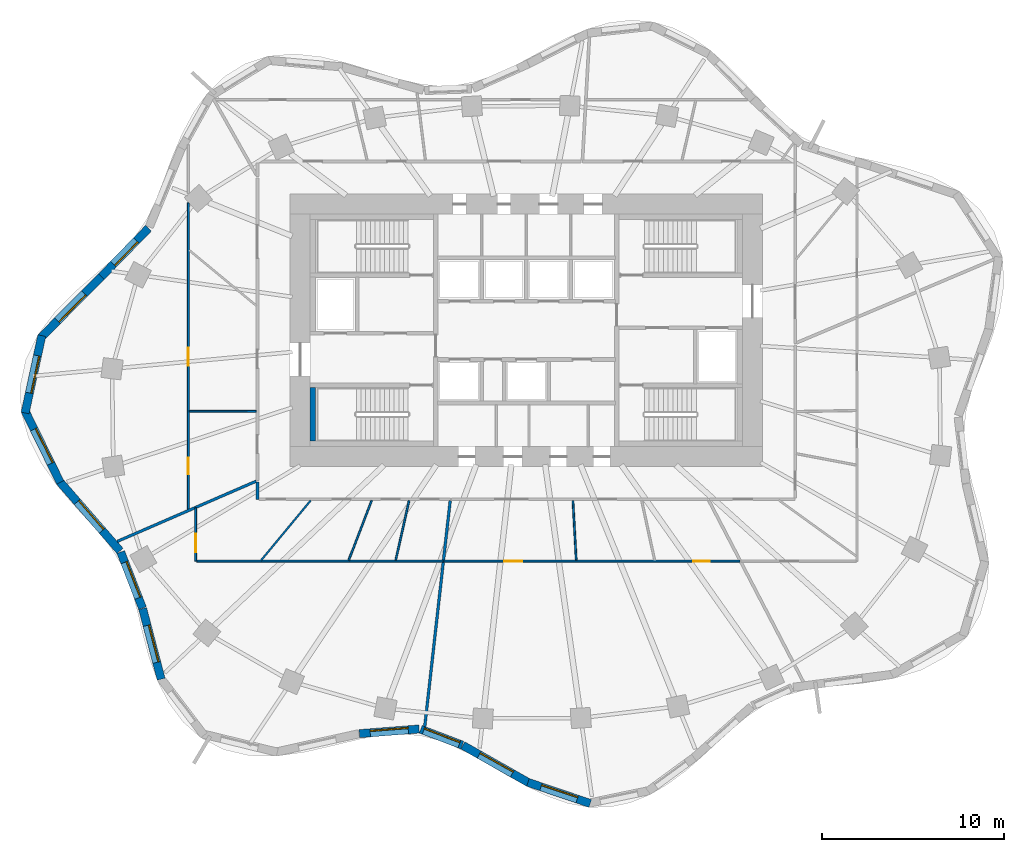
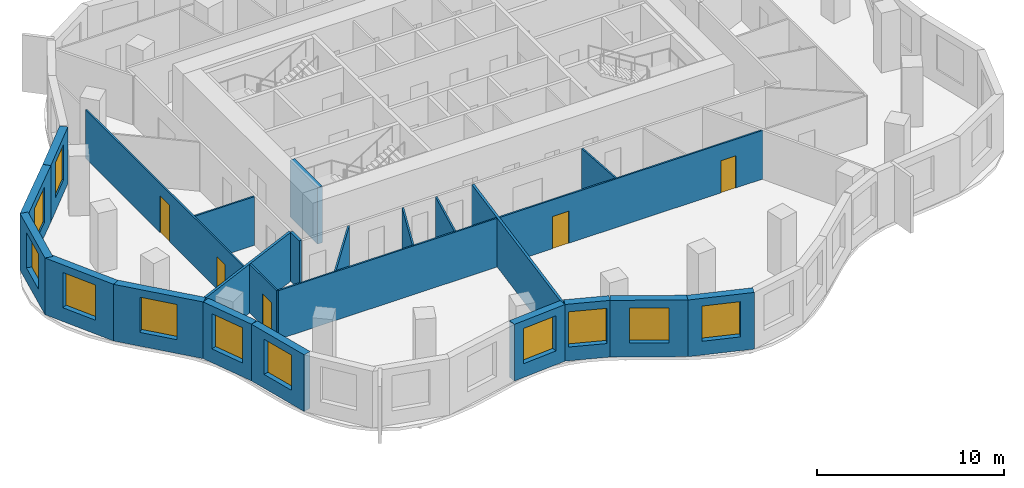
# One storey, part 3 of 9: 24 walls, 11 windows, 5 doors, 16 openings.
"""IFC4 building model written with IfcOpenShell, lengths in metres."""

from ifc_helpers import new_model, si_unit, direction, frame, frame_2d, origin, place, context, subcontext, project, spatial, rectangle, extrude, material, layer, layer_set, type_object, element, fill, save


model = new_model("IFC4")

# Units and contexts
model_context = context("Model", 3, precision=1e-05, world=origin(), true_north=direction((0.0, 1.0)))
body_context = subcontext(model_context, "Body", "Model", "MODEL_VIEW")
ifc_project = project(units=[si_unit("LENGTHUNIT", "METRE"), si_unit("AREAUNIT", "SQUARE_METRE"), si_unit("VOLUMEUNIT", "CUBIC_METRE"), si_unit("PLANEANGLEUNIT", "RADIAN"), si_unit("MASSUNIT", "GRAM", prefix="KILO")], contexts=[model_context])

# Site, building, storey
site_placement = place(None, origin())
site = spatial("IfcSite", under=ifc_project, at=site_placement, CompositionType="ELEMENT")
building_placement = place(site_placement, origin())
building = spatial("IfcBuilding", under=site, at=building_placement, Name="Rubra Terraces Tower", CompositionType="ELEMENT")
storey_placement = place(building_placement, frame((0.0, 0.0, 138.300048828125)))
storey = spatial("IfcBuildingStorey", under=building, at=storey_placement, Name="L33", CompositionType="ELEMENT", Elevation=138.300048828125)

# Wall, opening, window
ifc_material_1 = material(Name="Brick masonry red-brown", Category="masonry")
ifc_layer_1 = layer(ifc_material_1, 0.449951171875)
ifc_layer_set_1 = layer_set([ifc_layer_1], Name="Brick masonry red-brown")
wall_type_1 = type_object("IfcWallType", Name="Brick facade wall 450", PredefinedType="SOLIDWALL", material=ifc_layer_set_1)
wall_1_placement = place(storey_placement, frame((-20.795654296875, 10.1240234375, 0.0), z_axis=(0.0, 0.0, 1.0), x_axis=(-0.697121527554, -0.716952980203, 0.0)))
wall_1 = element("IfcWall", 1, at=wall_1_placement, inside=storey, type_object=wall_type_1, Name="Facade wall L33 bay 18", PredefinedType="SOLIDWALL", context=body_context, shape_type="SweptSolid", body=[
    extrude(rectangle(XDim=3.7177734375, YDim=0.449951171875, at=frame_2d((1.85888671875, 0.0))), origin(), (0.0, 0.0, 1.0), 3.699951171875),
])
opening_1_placement = place(wall_1_placement, frame((0.958984375, 0.0, 0.89990234375)))
opening_1 = element("IfcOpeningElement", 2, at=opening_1_placement, cuts=wall_1, Name="Opening W6B", PredefinedType="OPENING", context=body_context, shape_type="SweptSolid", body=[
    extrude(rectangle(XDim=1.800048828125, YDim=2.300048828125, at=frame_2d((0.89990234375, 1.14990234375))), frame((0.0, 0.23486328125, 0.0), z_axis=(0.0, -1.0, 0.0), x_axis=(1.0, 0.0, 0.0)), (0.0, 0.0, 1.0), 0.469970703125),
])
ifc_material_2 = material(Name="Clear glass in aluminium frame", Category="aluminium")
window_type_1 = type_object("IfcWindowType", Name="Fixed deep-set window at wind fin tall storey 1800 x 2300", PartitioningType="SINGLE_PANEL", PredefinedType="WINDOW", material=ifc_material_2)
window_1_placement = place(opening_1_placement, origin())
window_1 = element("IfcWindow", 3, at=window_1_placement, inside=storey, type_object=window_type_1, Name="Window L33 bay 18", OverallHeight=2.300048828125, OverallWidth=1.800048828125, PartitioningType="SINGLE_PANEL", PredefinedType="WINDOW", context=body_context, shape_type="SweptSolid", body=[
    extrude(rectangle(XDim=1.800048828125, YDim=2.300048828125, at=frame_2d((0.89990234375, 1.14990234375))), frame((0.0, 0.135009765625, 0.0), z_axis=(0.0, -1.0, 0.0), x_axis=(1.0, 0.0, 0.0)), (0.0, 0.0, 1.0), 0.06005859375),
])
fill(opening_1, window_1)

wall_2_placement = place(storey_placement, frame((-23.389892578125, 7.45556640625, 0.0), z_axis=(0.0, 0.0, 1.0), x_axis=(-0.705349231702, -0.708859973011, 0.0)))
wall_2 = element("IfcWall", 4, at=wall_2_placement, inside=storey, type_object=wall_type_1, Name="Facade wall L33 bay 19", PredefinedType="SOLIDWALL", context=body_context, shape_type="SweptSolid", body=[
    extrude(rectangle(XDim=4.728759765625, YDim=0.449951171875, at=frame_2d((2.3642578125, 0.0))), origin(), (0.0, 0.0, 1.0), 3.699951171875),
])
opening_2_placement = place(wall_2_placement, frame((1.314453125, 0.0, 0.89990234375)))
opening_2 = element("IfcOpeningElement", 5, at=opening_2_placement, cuts=wall_2, Name="Opening W1B", PredefinedType="OPENING", context=body_context, shape_type="SweptSolid", body=[
    extrude(rectangle(XDim=2.10009765625, YDim=2.300048828125, at=frame_2d((1.050048828125, 1.14990234375))), frame((0.0, 0.23486328125, 0.0), z_axis=(0.0, -1.0, 0.0), x_axis=(1.0, 0.0, 0.0)), (0.0, 0.0, 1.0), 0.469970703125),
])
window_type_2 = type_object("IfcWindowType", Name="Fixed deep-set window tall storey 2100 x 2300", PartitioningType="SINGLE_PANEL", PredefinedType="WINDOW", material=ifc_material_2)
window_2_placement = place(opening_2_placement, origin())
window_2 = element("IfcWindow", 6, at=window_2_placement, inside=storey, type_object=window_type_2, Name="Window L33 bay 19", OverallHeight=2.300048828125, OverallWidth=2.10009765625, PartitioningType="SINGLE_PANEL", PredefinedType="WINDOW", context=body_context, shape_type="SweptSolid", body=[
    extrude(rectangle(XDim=2.10009765625, YDim=2.300048828125, at=frame_2d((1.050048828125, 1.14990234375))), frame((0.0, 0.135009765625, 0.0), z_axis=(0.0, -1.0, 0.0), x_axis=(1.0, 0.0, 0.0)), (0.0, 0.0, 1.0), 0.06005859375),
])
fill(opening_2, window_2)

wall_3_placement = place(storey_placement, frame((-26.668212890625, 4.21142578125, 0.0), z_axis=(0.0, 0.0, 1.0), x_axis=(-0.210910311825, -0.977505417052, 0.0)))
wall_3 = element("IfcWall", 7, at=wall_3_placement, inside=storey, type_object=wall_type_1, Name="Facade wall L33 bay 20", PredefinedType="SOLIDWALL", context=body_context, shape_type="SweptSolid", body=[
    extrude(rectangle(XDim=4.35693359375, YDim=0.449951171875, at=frame_2d((2.178466796875, 0.0))), origin(), (0.0, 0.0, 1.0), 3.699951171875),
])
opening_3_placement = place(wall_3_placement, frame((1.12841796875, 0.0, 0.89990234375)))
opening_3 = element("IfcOpeningElement", 8, at=opening_3_placement, cuts=wall_3, Name="Opening W1B", PredefinedType="OPENING", context=body_context, shape_type="SweptSolid", body=[
    extrude(rectangle(XDim=2.10009765625, YDim=2.300048828125, at=frame_2d((1.050048828125, 1.14990234375))), frame((0.0, 0.23486328125, 0.0), z_axis=(0.0, -1.0, 0.0), x_axis=(1.0, 0.0, 0.0)), (0.0, 0.0, 1.0), 0.469970703125),
])
window_3_placement = place(opening_3_placement, origin())
window_3 = element("IfcWindow", 9, at=window_3_placement, inside=storey, type_object=window_type_2, Name="Window L33 bay 20", OverallHeight=2.300048828125, OverallWidth=2.10009765625, PartitioningType="SINGLE_PANEL", PredefinedType="WINDOW", context=body_context, shape_type="SweptSolid", body=[
    extrude(rectangle(XDim=2.10009765625, YDim=2.300048828125, at=frame_2d((1.050048828125, 1.14990234375))), frame((0.0, 0.135009765625, 0.0), z_axis=(0.0, -1.0, 0.0), x_axis=(1.0, 0.0, 0.0)), (0.0, 0.0, 1.0), 0.06005859375),
])
fill(opening_3, window_3)

wall_4_placement = place(storey_placement, frame((-27.60498046875, 0.09912109375, 0.0), z_axis=(0.0, 0.0, 1.0), x_axis=(0.440876526139, -0.897567762734, 0.0)))
wall_4 = element("IfcWall", 10, at=wall_4_placement, inside=storey, type_object=wall_type_1, Name="Facade wall L33 bay 21", PredefinedType="SOLIDWALL", context=body_context, shape_type="SweptSolid", body=[
    extrude(rectangle(XDim=4.4150390625, YDim=0.449951171875, at=frame_2d((2.20751953125, 0.0))), origin(), (0.0, 0.0, 1.0), 3.699951171875),
])
opening_4_placement = place(wall_4_placement, frame((1.15771484375, 0.0, 0.89990234375)))
opening_4 = element("IfcOpeningElement", 11, at=opening_4_placement, cuts=wall_4, Name="Opening W1B", PredefinedType="OPENING", context=body_context, shape_type="SweptSolid", body=[
    extrude(rectangle(XDim=2.10009765625, YDim=2.300048828125, at=frame_2d((1.050048828125, 1.14990234375))), frame((0.0, 0.23486328125, 0.0), z_axis=(0.0, -1.0, 0.0), x_axis=(1.0, 0.0, 0.0)), (0.0, 0.0, 1.0), 0.469970703125),
])
window_4_placement = place(opening_4_placement, origin())
window_4 = element("IfcWindow", 12, at=window_4_placement, inside=storey, type_object=window_type_2, Name="Window L33 bay 21", OverallHeight=2.300048828125, OverallWidth=2.10009765625, PartitioningType="SINGLE_PANEL", PredefinedType="WINDOW", context=body_context, shape_type="SweptSolid", body=[
    extrude(rectangle(XDim=2.10009765625, YDim=2.300048828125, at=frame_2d((1.050048828125, 1.14990234375))), frame((0.0, 0.135009765625, 0.0), z_axis=(0.0, -1.0, 0.0), x_axis=(1.0, 0.0, 0.0)), (0.0, 0.0, 1.0), 0.06005859375),
])
fill(opening_4, window_4)

wall_5_placement = place(storey_placement, frame((-25.690673828125, -3.815185546875, 0.0), z_axis=(0.0, 0.0, 1.0), x_axis=(0.656552883353, -0.754279995334, 0.0)))
wall_5 = element("IfcWall", 13, at=wall_5_placement, inside=storey, type_object=wall_type_1, Name="Facade wall L33 bay 22", PredefinedType="SOLIDWALL", context=body_context, shape_type="SweptSolid", body=[
    extrude(rectangle(XDim=5.0712890625, YDim=0.449951171875, at=frame_2d((2.53564453125, 0.0))), origin(), (0.0, 0.0, 1.0), 3.699951171875),
])
opening_5_placement = place(wall_5_placement, frame((1.485595703125, 0.0, 0.89990234375)))
opening_5 = element("IfcOpeningElement", 14, at=opening_5_placement, cuts=wall_5, Name="Opening W1B", PredefinedType="OPENING", context=body_context, shape_type="SweptSolid", body=[
    extrude(rectangle(XDim=2.10009765625, YDim=2.300048828125, at=frame_2d((1.050048828125, 1.14990234375))), frame((0.0, 0.23486328125, 0.0), z_axis=(0.0, -1.0, 0.0), x_axis=(1.0, 0.0, 0.0)), (0.0, 0.0, 1.0), 0.469970703125),
])
window_5_placement = place(opening_5_placement, origin())
window_5 = element("IfcWindow", 15, at=window_5_placement, inside=storey, type_object=window_type_2, Name="Window L33 bay 22", OverallHeight=2.300048828125, OverallWidth=2.10009765625, PartitioningType="SINGLE_PANEL", PredefinedType="WINDOW", context=body_context, shape_type="SweptSolid", body=[
    extrude(rectangle(XDim=2.10009765625, YDim=2.300048828125, at=frame_2d((1.050048828125, 1.14990234375))), frame((0.0, 0.135009765625, 0.0), z_axis=(0.0, -1.0, 0.0), x_axis=(1.0, 0.0, 0.0)), (0.0, 0.0, 1.0), 0.06005859375),
])
fill(opening_5, window_5)

wall_6_placement = place(storey_placement, frame((-22.323486328125, -7.70068359375, 0.0), z_axis=(0.0, 0.0, 1.0), x_axis=(0.361550075906, -0.932352692178, 0.0)))
wall_6 = element("IfcWall", 16, at=wall_6_placement, inside=storey, type_object=wall_type_1, Name="Facade wall L33 bay 23", PredefinedType="SOLIDWALL", context=body_context, shape_type="SweptSolid", body=[
    extrude(rectangle(XDim=3.3134765625, YDim=0.449951171875, at=frame_2d((1.65673828125, 0.0))), origin(), (0.0, 0.0, 1.0), 3.699951171875),
])
opening_6_placement = place(wall_6_placement, frame((0.606689453125, 0.0, 0.89990234375)))
opening_6 = element("IfcOpeningElement", 17, at=opening_6_placement, cuts=wall_6, Name="Opening W1B", PredefinedType="OPENING", context=body_context, shape_type="SweptSolid", body=[
    extrude(rectangle(XDim=2.10009765625, YDim=2.300048828125, at=frame_2d((1.050048828125, 1.14990234375))), frame((0.0, 0.23486328125, 0.0), z_axis=(0.0, -1.0, 0.0), x_axis=(1.0, 0.0, 0.0)), (0.0, 0.0, 1.0), 0.469970703125),
])
window_6_placement = place(opening_6_placement, origin())
window_6 = element("IfcWindow", 18, at=window_6_placement, inside=storey, type_object=window_type_2, Name="Window L33 bay 23", OverallHeight=2.300048828125, OverallWidth=2.10009765625, PartitioningType="SINGLE_PANEL", PredefinedType="WINDOW", context=body_context, shape_type="SweptSolid", body=[
    extrude(rectangle(XDim=2.10009765625, YDim=2.300048828125, at=frame_2d((1.050048828125, 1.14990234375))), frame((0.0, 0.135009765625, 0.0), z_axis=(0.0, -1.0, 0.0), x_axis=(1.0, 0.0, 0.0)), (0.0, 0.0, 1.0), 0.06005859375),
])
fill(opening_6, window_6)

wall_7_placement = place(storey_placement, frame((-21.11669921875, -10.8154296875, 0.0), z_axis=(0.0, 0.0, 1.0), x_axis=(0.253065392985, -0.967449175344, 0.0)))
wall_7 = element("IfcWall", 19, at=wall_7_placement, inside=storey, type_object=wall_type_1, Name="Facade wall L33 bay 24", PredefinedType="SOLIDWALL", context=body_context, shape_type="SweptSolid", body=[
    extrude(rectangle(XDim=4.01513671875, YDim=0.449951171875, at=frame_2d((2.007568359375, 0.0))), origin(), (0.0, 0.0, 1.0), 3.699951171875),
])
opening_7_placement = place(wall_7_placement, frame((0.95751953125, 0.0, 0.89990234375)))
opening_7 = element("IfcOpeningElement", 20, at=opening_7_placement, cuts=wall_7, Name="Opening W1B", PredefinedType="OPENING", context=body_context, shape_type="SweptSolid", body=[
    extrude(rectangle(XDim=2.10009765625, YDim=2.300048828125, at=frame_2d((1.050048828125, 1.14990234375))), frame((0.0, 0.23486328125, 0.0), z_axis=(0.0, -1.0, 0.0), x_axis=(1.0, 0.0, 0.0)), (0.0, 0.0, 1.0), 0.469970703125),
])
window_7_placement = place(opening_7_placement, origin())
window_7 = element("IfcWindow", 21, at=window_7_placement, inside=storey, type_object=window_type_2, Name="Window L33 bay 24", OverallHeight=2.300048828125, OverallWidth=2.10009765625, PartitioningType="SINGLE_PANEL", PredefinedType="WINDOW", context=body_context, shape_type="SweptSolid", body=[
    extrude(rectangle(XDim=2.10009765625, YDim=2.300048828125, at=frame_2d((1.050048828125, 1.14990234375))), frame((0.0, 0.135009765625, 0.0), z_axis=(0.0, -1.0, 0.0), x_axis=(1.0, 0.0, 0.0)), (0.0, 0.0, 1.0), 0.06005859375),
])
fill(opening_7, window_7)

wall_8_placement = place(storey_placement, frame((-9.188232421875, -17.69677734375, 0.0), z_axis=(0.0, 0.0, 1.0), x_axis=(0.996964028691, 0.077863505548, 0.0)))
wall_8 = element("IfcWall", 22, at=wall_8_placement, inside=storey, type_object=wall_type_1, Name="Facade wall L33 bay 28", PredefinedType="SOLIDWALL", context=body_context, shape_type="SweptSolid", body=[
    extrude(rectangle(XDim=3.29541015625, YDim=0.449951171875, at=frame_2d((1.647705078125, 0.0))), origin(), (0.0, 0.0, 1.0), 3.699951171875),
])
opening_8_placement = place(wall_8_placement, frame((0.59765625, 0.0, 0.89990234375)))
opening_8 = element("IfcOpeningElement", 23, at=opening_8_placement, cuts=wall_8, Name="Opening W1B", PredefinedType="OPENING", context=body_context, shape_type="SweptSolid", body=[
    extrude(rectangle(XDim=2.10009765625, YDim=2.300048828125, at=frame_2d((1.050048828125, 1.14990234375))), frame((0.0, 0.23486328125, 0.0), z_axis=(0.0, -1.0, 0.0), x_axis=(1.0, 0.0, 0.0)), (0.0, 0.0, 1.0), 0.469970703125),
])
window_8_placement = place(opening_8_placement, origin())
window_8 = element("IfcWindow", 24, at=window_8_placement, inside=storey, type_object=window_type_2, Name="Window L33 bay 28", OverallHeight=2.300048828125, OverallWidth=2.10009765625, PartitioningType="SINGLE_PANEL", PredefinedType="WINDOW", context=body_context, shape_type="SweptSolid", body=[
    extrude(rectangle(XDim=2.10009765625, YDim=2.300048828125, at=frame_2d((1.050048828125, 1.14990234375))), frame((0.0, 0.135009765625, 0.0), z_axis=(0.0, -1.0, 0.0), x_axis=(1.0, 0.0, 0.0)), (0.0, 0.0, 1.0), 0.06005859375),
])
fill(opening_8, window_8)

wall_9_placement = place(storey_placement, frame((-5.810546875, -17.45458984375, 0.0), z_axis=(0.0, 0.0, 1.0), x_axis=(0.934122271306, -0.35695319336, 0.0)))
wall_9 = element("IfcWall", 25, at=wall_9_placement, inside=storey, type_object=wall_type_1, Name="Facade wall L33 bay 29", PredefinedType="SOLIDWALL", context=body_context, shape_type="SweptSolid", body=[
    extrude(rectangle(XDim=2.447998046875, YDim=0.449951171875, at=frame_2d((1.22412109375, 0.0))), origin(), (0.0, 0.0, 1.0), 3.699951171875),
])
opening_9_placement = place(wall_9_placement, frame((0.174072265625, 0.0, 0.89990234375)))
opening_9 = element("IfcOpeningElement", 26, at=opening_9_placement, cuts=wall_9, Name="Opening W1B", PredefinedType="OPENING", context=body_context, shape_type="SweptSolid", body=[
    extrude(rectangle(XDim=2.10009765625, YDim=2.300048828125, at=frame_2d((1.050048828125, 1.14990234375))), frame((0.0, 0.23486328125, 0.0), z_axis=(0.0, -1.0, 0.0), x_axis=(1.0, 0.0, 0.0)), (0.0, 0.0, 1.0), 0.469970703125),
])
window_9_placement = place(opening_9_placement, origin())
window_9 = element("IfcWindow", 27, at=window_9_placement, inside=storey, type_object=window_type_2, Name="Window L33 bay 29", OverallHeight=2.300048828125, OverallWidth=2.10009765625, PartitioningType="SINGLE_PANEL", PredefinedType="WINDOW", context=body_context, shape_type="SweptSolid", body=[
    extrude(rectangle(XDim=2.10009765625, YDim=2.300048828125, at=frame_2d((1.050048828125, 1.14990234375))), frame((0.0, 0.135009765625, 0.0), z_axis=(0.0, -1.0, 0.0), x_axis=(1.0, 0.0, 0.0)), (0.0, 0.0, 1.0), 0.06005859375),
])
fill(opening_9, window_9)

wall_10_placement = place(storey_placement, frame((-3.4931640625, -18.3427734375, 0.0), z_axis=(0.0, 0.0, 1.0), x_axis=(0.869825988853, -0.493358641473, 0.0)))
wall_10 = element("IfcWall", 28, at=wall_10_placement, inside=storey, type_object=wall_type_1, Name="Facade wall L33 bay 30", PredefinedType="SOLIDWALL", context=body_context, shape_type="SweptSolid", body=[
    extrude(rectangle(XDim=4.164794921875, YDim=0.449951171875, at=frame_2d((2.08251953125, 0.0))), origin(), (0.0, 0.0, 1.0), 3.699951171875),
])
opening_10_placement = place(wall_10_placement, frame((1.032470703125, 0.0, 0.89990234375)))
opening_10 = element("IfcOpeningElement", 29, at=opening_10_placement, cuts=wall_10, Name="Opening W1B", PredefinedType="OPENING", context=body_context, shape_type="SweptSolid", body=[
    extrude(rectangle(XDim=2.10009765625, YDim=2.300048828125, at=frame_2d((1.050048828125, 1.14990234375))), frame((0.0, 0.23486328125, 0.0), z_axis=(0.0, -1.0, 0.0), x_axis=(1.0, 0.0, 0.0)), (0.0, 0.0, 1.0), 0.469970703125),
])
window_10_placement = place(opening_10_placement, origin())
window_10 = element("IfcWindow", 30, at=window_10_placement, inside=storey, type_object=window_type_2, Name="Window L33 bay 30", OverallHeight=2.300048828125, OverallWidth=2.10009765625, PartitioningType="SINGLE_PANEL", PredefinedType="WINDOW", context=body_context, shape_type="SweptSolid", body=[
    extrude(rectangle(XDim=2.10009765625, YDim=2.300048828125, at=frame_2d((1.050048828125, 1.14990234375))), frame((0.0, 0.135009765625, 0.0), z_axis=(0.0, -1.0, 0.0), x_axis=(1.0, 0.0, 0.0)), (0.0, 0.0, 1.0), 0.06005859375),
])
fill(opening_10, window_10)

wall_11_placement = place(storey_placement, frame((0.090576171875, -20.380126953125, 0.0), z_axis=(0.0, 0.0, 1.0), x_axis=(0.947304227221, -0.320335294791, 0.0)))
wall_11 = element("IfcWall", 31, at=wall_11_placement, inside=storey, type_object=wall_type_1, Name="Facade wall L33 bay 31", PredefinedType="SOLIDWALL", context=body_context, shape_type="SweptSolid", body=[
    extrude(rectangle(XDim=3.6171875, YDim=0.449951171875, at=frame_2d((1.80859375, 0.0))), origin(), (0.0, 0.0, 1.0), 3.699951171875),
])
opening_11_placement = place(wall_11_placement, frame((0.758544921875, 0.0, 0.89990234375)))
opening_11 = element("IfcOpeningElement", 32, at=opening_11_placement, cuts=wall_11, Name="Opening W1B", PredefinedType="OPENING", context=body_context, shape_type="SweptSolid", body=[
    extrude(rectangle(XDim=2.10009765625, YDim=2.300048828125, at=frame_2d((1.050048828125, 1.14990234375))), frame((0.0, 0.23486328125, 0.0), z_axis=(0.0, -1.0, 0.0), x_axis=(1.0, 0.0, 0.0)), (0.0, 0.0, 1.0), 0.469970703125),
])
window_11_placement = place(opening_11_placement, origin())
window_11 = element("IfcWindow", 33, at=window_11_placement, inside=storey, type_object=window_type_2, Name="Window L33 bay 31", OverallHeight=2.300048828125, OverallWidth=2.10009765625, PartitioningType="SINGLE_PANEL", PredefinedType="WINDOW", context=body_context, shape_type="SweptSolid", body=[
    extrude(rectangle(XDim=2.10009765625, YDim=2.300048828125, at=frame_2d((1.050048828125, 1.14990234375))), frame((0.0, 0.135009765625, 0.0), z_axis=(0.0, -1.0, 0.0), x_axis=(1.0, 0.0, 0.0)), (0.0, 0.0, 1.0), 0.06005859375),
])
fill(opening_11, window_11)

# Walls
ifc_material_3 = material(Name="Plasterboard on steel stud, mineral wool infill", Category="steel")
ifc_layer_2 = layer(ifc_material_3, 0.14990234375)
ifc_layer_set_2 = layer_set([ifc_layer_2], Name="Plasterboard on steel stud, mineral wool infill")
wall_type_2 = type_object("IfcWallType", Name="CORRIDOR PARTITION 150", PredefinedType="PARTITIONING", material=ifc_layer_set_2)
wall_12_placement = place(storey_placement, frame((-14.800048828125, -3.845703125, 0.0), z_axis=(0.0, 0.0, 1.0), x_axis=(0.0, -1.0, 0.0)))
element("IfcWall", 34, at=wall_12_placement, inside=storey, type_object=wall_type_2, Name="PARTITION", PredefinedType="PARTITIONING", context=body_context, shape_type="SweptSolid", body=[
    extrude(rectangle(XDim=0.954345703125, YDim=0.14990234375, at=frame_2d((0.47705078125, 0.0))), origin(), (0.0, 0.0, 1.0), 3.197998046875),
])
ifc_material_4 = material(Name="Concrete C40", Category="concrete")
ifc_layer_3 = layer(ifc_material_4, 0.300048828125)
ifc_layer_set_3 = layer_set([ifc_layer_3], Name="Concrete C40")
wall_type_3 = type_object("IfcWallType", Name="Core lining wall 300 concrete", PredefinedType="SOLIDWALL", material=ifc_layer_set_3)
wall_13_placement = place(storey_placement, frame((-11.75, -1.60009765625, 0.0), z_axis=(0.0, 0.0, 1.0), x_axis=(0.0, 1.0, 0.0)))
element("IfcWall", 35, at=wall_13_placement, inside=storey, type_object=wall_type_3, Name="CORE LINING WALL L33", PredefinedType="SOLIDWALL", context=body_context, shape_type="SweptSolid", body=[
    extrude(rectangle(XDim=2.9501953125, YDim=0.300048828125, at=frame_2d((1.47509765625, 0.0))), origin(), (0.0, 0.0, 1.0), 3.699951171875),
])

# Wall, openings, doors
ifc_material_5 = material(Name="Plasterboard on steel stud", Category="steel")
ifc_layer_4 = layer(ifc_material_5, 0.10009765625)
ifc_layer_set_4 = layer_set([ifc_layer_4], Name="Plasterboard on steel stud")
wall_type_4 = type_object("IfcWallType", Name="ROOM PARTITION 100", PredefinedType="PARTITIONING", material=ifc_layer_set_4)
wall_14_placement = place(storey_placement, frame((-18.60009765625, -5.396728515625, 0.0), z_axis=(0.0, 0.0, 1.0), x_axis=(0.0, 1.0, 0.0)))
wall_14 = element("IfcWall", 36, at=wall_14_placement, inside=storey, type_object=wall_type_4, Name="PARTITION", PredefinedType="PARTITIONING", context=body_context, shape_type="SweptSolid", body=[
    extrude(rectangle(XDim=16.918701171875, YDim=0.10009765625, at=frame_2d((8.45947265625, 0.0))), origin(), (0.0, 0.0, 1.0), 3.183837890625),
])
opening_12_placement = place(wall_14_placement, frame((1.97509765625, 0.0, 0.0)))
opening_12 = element("IfcOpeningElement", 37, at=opening_12_placement, cuts=wall_14, Name="Opening 33-109", PredefinedType="OPENING", context=body_context, shape_type="SweptSolid", body=[
    extrude(rectangle(XDim=0.89990234375, YDim=2.10009765625, at=frame_2d((0.449951171875, 1.050048828125))), frame((0.0, 0.06005859375, 0.0), z_axis=(0.0, -1.0, 0.0), x_axis=(1.0, 0.0, 0.0)), (0.0, 0.0, 1.0), 0.1201171875),
])
opening_13_placement = place(wall_14_placement, frame((7.949951171875, 0.0, 0.0)))
opening_13 = element("IfcOpeningElement", 38, at=opening_13_placement, cuts=wall_14, Name="Opening 33-128", PredefinedType="OPENING", context=body_context, shape_type="SweptSolid", body=[
    extrude(rectangle(XDim=1.0, YDim=2.39990234375, at=frame_2d((0.5, 1.199951171875))), frame((0.0, 0.06005859375, 0.0), z_axis=(0.0, -1.0, 0.0), x_axis=(1.0, 0.0, 0.0)), (0.0, 0.0, 1.0), 0.1201171875),
])
ifc_material_6 = material(Name="Glazed aluminium meeting door leaf", Category="aluminium")
door_type_1 = type_object("IfcDoorType", Name="MEETING ROOM GLAZED DOOR 1000 X 2400", OperationType="SINGLE_SWING_LEFT", PredefinedType="DOOR", material=ifc_material_6)
door_1_placement = place(opening_13_placement, origin())
door_1 = element("IfcDoor", 39, at=door_1_placement, inside=storey, type_object=door_type_1, Name="DOOR 33-128", OperationType="SINGLE_SWING_LEFT", OverallHeight=2.39990234375, OverallWidth=1.0, PredefinedType="DOOR", context=body_context, shape_type="SweptSolid", body=[
    extrude(rectangle(XDim=1.0, YDim=2.39990234375, at=frame_2d((0.5, 1.199951171875))), frame((0.0, 0.02490234375, 0.0), z_axis=(0.0, -1.0, 0.0), x_axis=(1.0, 0.0, 0.0)), (0.0, 0.0, 1.0), 0.050048828125),
])
fill(opening_13, door_1)
ifc_material_7 = material(Name="Painted timber door leaf", Category="wood")
door_type_2 = type_object("IfcDoorType", Name="ROOM DOOR 900 X 2100", OperationType="SINGLE_SWING_LEFT", PredefinedType="DOOR", material=ifc_material_7)
door_2_placement = place(opening_12_placement, origin())
door_2 = element("IfcDoor", 40, at=door_2_placement, inside=storey, type_object=door_type_2, Name="DOOR 33-109", OperationType="SINGLE_SWING_LEFT", OverallHeight=2.10009765625, OverallWidth=0.89990234375, PredefinedType="DOOR", context=body_context, shape_type="SweptSolid", body=[
    extrude(rectangle(XDim=0.89990234375, YDim=2.10009765625, at=frame_2d((0.449951171875, 1.050048828125))), frame((0.0, 0.02490234375, 0.0), z_axis=(0.0, -1.0, 0.0), x_axis=(1.0, 0.0, 0.0)), (0.0, 0.0, 1.0), 0.050048828125),
])
fill(opening_12, door_2)

# Wall
wall_15_placement = place(storey_placement, frame((-14.875, 0.043212890625, 0.0), z_axis=(0.0, 0.0, 1.0), x_axis=(-0.999999285062, 0.001195774074, 0.0)))
element("IfcWall", 41, at=wall_15_placement, inside=storey, type_object=wall_type_4, Name="PARTITION", PredefinedType="PARTITIONING", context=body_context, shape_type="SweptSolid", body=[
    extrude(rectangle(XDim=3.675048828125, YDim=0.10009765625, at=frame_2d((1.83740234375, 0.0))), origin(), (0.0, 0.0, 1.0), 3.183837890625),
])

# Wall, opening, door
wall_16_placement = place(storey_placement, frame((-18.199951171875, -8.199951171875, 0.0), z_axis=(0.0, 0.0, 1.0), x_axis=(0.0, 1.0, 0.0)))
wall_16 = element("IfcWall", 42, at=wall_16_placement, inside=storey, type_object=wall_type_4, Name="PARTITION", PredefinedType="PARTITIONING", context=body_context, shape_type="SweptSolid", body=[
    extrude(rectangle(XDim=2.93310546875, YDim=0.10009765625, at=frame_2d((1.466552734375, 0.0))), origin(), (0.0, 0.0, 1.0), 3.183837890625),
])
opening_14_placement = place(wall_16_placement, frame((0.5, 0.0, 0.0)))
opening_14 = element("IfcOpeningElement", 43, at=opening_14_placement, cuts=wall_16, Name="Opening 33-111", PredefinedType="OPENING", context=body_context, shape_type="SweptSolid", body=[
    extrude(rectangle(XDim=1.0, YDim=2.10009765625, at=frame_2d((0.5, 1.050048828125))), frame((0.0, 0.06005859375, 0.0), z_axis=(0.0, -1.0, 0.0), x_axis=(1.0, 0.0, 0.0)), (0.0, 0.0, 1.0), 0.1201171875),
])
door_type_3 = type_object("IfcDoorType", Name="ROOM DOOR 1000 X 2100", OperationType="SINGLE_SWING_LEFT", PredefinedType="DOOR", material=ifc_material_7)
door_3_placement = place(opening_14_placement, origin())
door_3 = element("IfcDoor", 44, at=door_3_placement, inside=storey, type_object=door_type_3, Name="DOOR 33-111", OperationType="SINGLE_SWING_RIGHT", OverallHeight=2.10009765625, OverallWidth=1.0, PredefinedType="DOOR", context=body_context, shape_type="SweptSolid", body=[
    extrude(rectangle(XDim=1.0, YDim=2.10009765625, at=frame_2d((0.5, 1.050048828125))), frame((0.0, 0.02490234375, 0.0), z_axis=(0.0, -1.0, 0.0), x_axis=(1.0, 0.0, 0.0)), (0.0, 0.0, 1.0), 0.050048828125),
])
fill(opening_14, door_3)

# Walls
wall_17_placement = place(storey_placement, frame((-4.584228515625, -8.199951171875, 0.0), z_axis=(0.0, 0.0, 1.0), x_axis=(-1.0, 0.0, 0.0)))
element("IfcWall", 45, at=wall_17_placement, inside=storey, type_object=wall_type_4, Name="PARTITION", PredefinedType="PARTITIONING", context=body_context, shape_type="SweptSolid", body=[
    extrude(rectangle(XDim=13.565673828125, YDim=0.10009765625, at=frame_2d((6.78271484375, 0.0))), origin(), (0.0, 0.0, 1.0), 3.183837890625),
])
wall_18_placement = place(storey_placement, frame((-11.864990234375, -4.85791015625, 0.0), z_axis=(0.0, 0.0, 1.0), x_axis=(-0.638010152626, -0.770027950886, 0.0)))
element("IfcWall", 46, at=wall_18_placement, inside=storey, type_object=wall_type_4, Name="PARTITION", PredefinedType="PARTITIONING", context=body_context, shape_type="SweptSolid", body=[
    extrude(rectangle(XDim=4.290283203125, YDim=0.10009765625, at=frame_2d((2.14501953125, 0.0))), origin(), (0.0, 0.0, 1.0), 3.183837890625),
])
wall_19_placement = place(storey_placement, frame((-8.5126953125, -4.8701171875, 0.0), z_axis=(0.0, 0.0, 1.0), x_axis=(-0.359444024243, -0.933166648266, 0.0)))
element("IfcWall", 47, at=wall_19_placement, inside=storey, type_object=wall_type_4, Name="PARTITION", PredefinedType="PARTITIONING", context=body_context, shape_type="SweptSolid", body=[
    extrude(rectangle(XDim=3.518310546875, YDim=0.10009765625, at=frame_2d((1.75927734375, 0.0))), origin(), (0.0, 0.0, 1.0), 3.183837890625),
])
wall_20_placement = place(storey_placement, frame((-6.453125, -4.873291015625, 0.0), z_axis=(0.0, 0.0, 1.0), x_axis=(-0.21917670953, -0.975685179758, 0.0)))
element("IfcWall", 48, at=wall_20_placement, inside=storey, type_object=wall_type_4, Name="PARTITION", PredefinedType="PARTITIONING", context=body_context, shape_type="SweptSolid", body=[
    extrude(rectangle(XDim=3.359619140625, YDim=0.10009765625, at=frame_2d((1.6796875, 0.0))), origin(), (0.0, 0.0, 1.0), 3.183837890625),
])

# Wall, openings, doors
wall_21_placement = place(storey_placement, frame((11.760498046875, -8.199951171875, 0.0), z_axis=(0.0, 0.0, 1.0), x_axis=(-1.0, 0.0, 0.0)))
wall_21 = element("IfcWall", 49, at=wall_21_placement, inside=storey, type_object=wall_type_4, Name="PARTITION", PredefinedType="PARTITIONING", context=body_context, shape_type="SweptSolid", body=[
    extrude(rectangle(XDim=16.3046875, YDim=0.10009765625, at=frame_2d((8.15234375, 0.0))), origin(), (0.0, 0.0, 1.0), 3.183837890625),
])
opening_15_placement = place(wall_21_placement, frame((11.985107421875, 0.0, 0.0)))
opening_15 = element("IfcOpeningElement", 50, at=opening_15_placement, cuts=wall_21, Name="Opening 33-116", PredefinedType="OPENING", context=body_context, shape_type="SweptSolid", body=[
    extrude(rectangle(XDim=1.0, YDim=2.10009765625, at=frame_2d((0.5, 1.050048828125))), frame((0.0, 0.06005859375, 0.0), z_axis=(0.0, -1.0, 0.0), x_axis=(1.0, 0.0, 0.0)), (0.0, 0.0, 1.0), 0.1201171875),
])
opening_16_placement = place(wall_21_placement, frame((1.674072265625, 0.0, 0.0)))
opening_16 = element("IfcOpeningElement", 51, at=opening_16_placement, cuts=wall_21, Name="Opening 33-118", PredefinedType="OPENING", context=body_context, shape_type="SweptSolid", body=[
    extrude(rectangle(XDim=0.89990234375, YDim=2.10009765625, at=frame_2d((0.449951171875, 1.050048828125))), frame((0.0, 0.06005859375, 0.0), z_axis=(0.0, -1.0, 0.0), x_axis=(1.0, 0.0, 0.0)), (0.0, 0.0, 1.0), 0.1201171875),
])
door_4_placement = place(opening_15_placement, origin())
door_4 = element("IfcDoor", 52, at=door_4_placement, inside=storey, type_object=door_type_3, Name="DOOR 33-116", OperationType="SINGLE_SWING_LEFT", OverallHeight=2.10009765625, OverallWidth=1.0, PredefinedType="DOOR", context=body_context, shape_type="SweptSolid", body=[
    extrude(rectangle(XDim=1.0, YDim=2.10009765625, at=frame_2d((0.5, 1.050048828125))), frame((0.0, 0.02490234375, 0.0), z_axis=(0.0, -1.0, 0.0), x_axis=(1.0, 0.0, 0.0)), (0.0, 0.0, 1.0), 0.050048828125),
])
fill(opening_15, door_4)
door_5_placement = place(opening_16_placement, origin())
door_5 = element("IfcDoor", 53, at=door_5_placement, inside=storey, type_object=door_type_2, Name="DOOR 33-118", OperationType="SINGLE_SWING_LEFT", OverallHeight=2.10009765625, OverallWidth=0.89990234375, PredefinedType="DOOR", context=body_context, shape_type="SweptSolid", body=[
    extrude(rectangle(XDim=0.89990234375, YDim=2.10009765625, at=frame_2d((0.449951171875, 1.050048828125))), frame((0.0, 0.02490234375, 0.0), z_axis=(0.0, -1.0, 0.0), x_axis=(1.0, 0.0, 0.0)), (0.0, 0.0, 1.0), 0.050048828125),
])
fill(opening_16, door_5)

# Walls
wall_22_placement = place(storey_placement, frame((2.56591796875, -4.875, 0.0), z_axis=(0.0, 0.0, 1.0), x_axis=(0.05515260166, -0.998477936927, 0.0)))
element("IfcWall", 54, at=wall_22_placement, inside=storey, type_object=wall_type_4, Name="PARTITION", PredefinedType="PARTITIONING", context=body_context, shape_type="SweptSolid", body=[
    extrude(rectangle(XDim=3.280029296875, YDim=0.10009765625, at=frame_2d((1.64013671875, 0.0))), origin(), (0.0, 0.0, 1.0), 3.183837890625),
])
ifc_layer_5 = layer(ifc_material_5, 0.14990234375)
ifc_layer_set_5 = layer_set([ifc_layer_5], Name="Plasterboard on steel stud")
wall_type_5 = type_object("IfcWallType", Name="ROOM PARTITION 150", PredefinedType="PARTITIONING", material=ifc_layer_set_5)
wall_23_placement = place(storey_placement, frame((-22.51416015625, -7.11572265625, 0.0), z_axis=(0.0, 0.0, 1.0), x_axis=(0.917457618692, 0.397833530392, 0.0)))
element("IfcWall", 55, at=wall_23_placement, inside=storey, type_object=wall_type_5, Name="PARTITION", PredefinedType="PARTITIONING", context=body_context, shape_type="SweptSolid", body=[
    extrude(rectangle(XDim=8.3330078125, YDim=0.14990234375, at=frame_2d((4.16650390625, 0.0))), origin(), (0.0, 0.0, 1.0), 3.197998046875),
])
wall_24_placement = place(storey_placement, frame((-5.589599609375, -17.2939453125, 0.0), z_axis=(0.0, 0.0, 1.0), x_axis=(0.112047950982, 0.993702800983, 0.0)))
element("IfcWall", 56, at=wall_24_placement, inside=storey, type_object=wall_type_5, Name="PARTITION", PredefinedType="PARTITIONING", context=body_context, shape_type="SweptSolid", body=[
    extrude(rectangle(XDim=12.498046875, YDim=0.14990234375, at=frame_2d((6.2490234375, 0.0))), origin(), (0.0, 0.0, 1.0), 3.197998046875),
])

save(model, "model.ifc")
